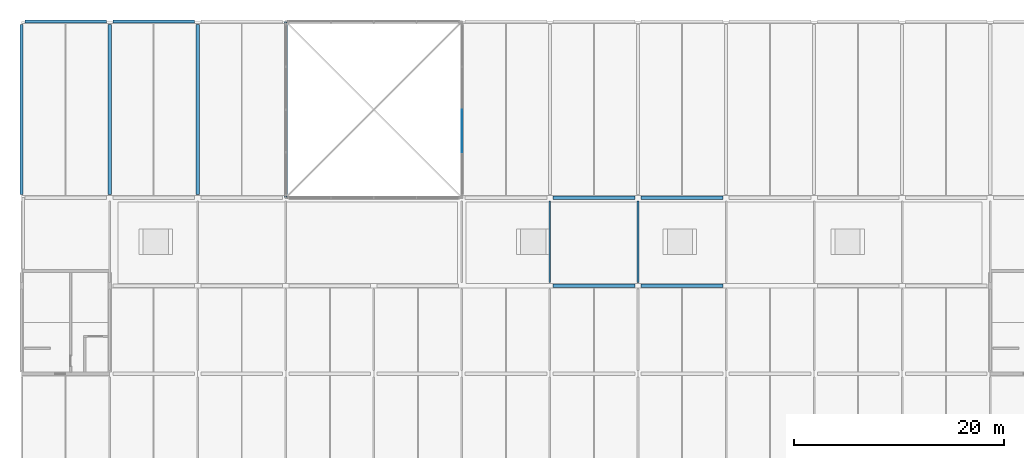
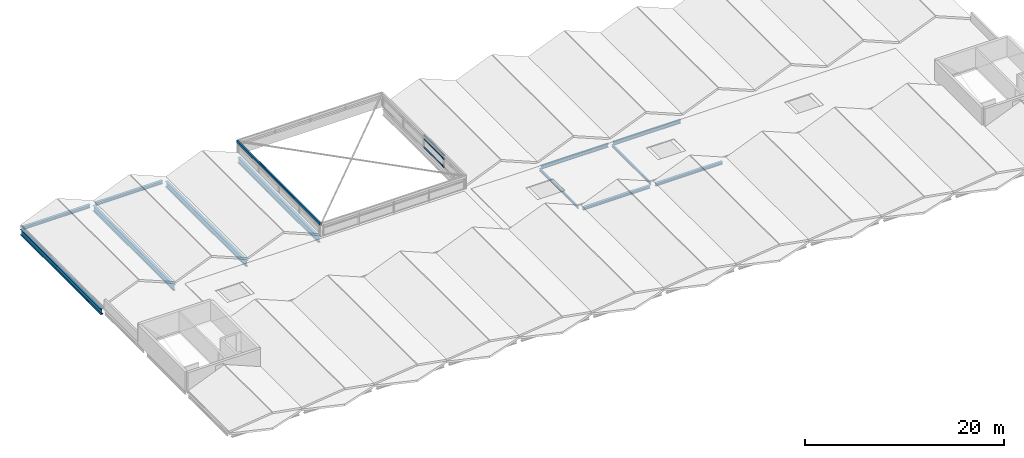
# One storey, part 5 of 14: 13 beams, 3 members, 1 element without a shape of its own.
"""IFC4 building model written with IfcOpenShell, lengths in metres."""

from ifc_helpers import new_model, si_unit, direction, frame, origin, origin_2d, place, context, subcontext, project, spatial, rectangle, hollow_rectangle, i_section, extrude, material, layer, layer_set, material_profile, profile_set, type_object, element, aggregate, save


model = new_model("IFC4")

# Units and contexts
model_context = context("Model", 3, precision=1e-05, world=origin(), true_north=direction((0.0, 1.0)))
body_context = subcontext(model_context, "Body", "Model", "MODEL_VIEW")
ifc_project = project(units=[si_unit("LENGTHUNIT", "METRE"), si_unit("AREAUNIT", "SQUARE_METRE"), si_unit("VOLUMEUNIT", "CUBIC_METRE"), si_unit("PLANEANGLEUNIT", "RADIAN"), si_unit("MASSUNIT", "GRAM", prefix="KILO")], contexts=[model_context])

# Site, building, storey
site_placement = place(None, origin())
site = spatial("IfcSite", under=ifc_project, at=site_placement, CompositionType="ELEMENT")
building_placement = place(site_placement, origin())
building = spatial("IfcBuilding", under=site, at=building_placement, Name="Qawsi Khor Wholesale Market", CompositionType="ELEMENT")
storey_placement = place(building_placement, frame((0.0, 0.0, 20.699951171875)))
storey = spatial("IfcBuildingStorey", under=building, at=storey_placement, Name="RF", CompositionType="ELEMENT", Elevation=20.699951171875)

# Curtain wall, members
ifc_material_1 = material(Name="Aluminium Anodised Bronze", Category="aluminium")
ifc_layer = layer(ifc_material_1, 0.179931640625, Name="Aluminium Anodised Bronze")
ifc_layer_set = layer_set([ifc_layer], Name="Aluminium Anodised Bronze")
curtain_wall_type = type_object("IfcCurtainWallType", Name="Atrium Full-Height Curtain Wall CW-02", PredefinedType="NOTDEFINED", material=ifc_layer_set)
curtain_wall_placement = place(storey_placement, origin())
curtain_wall = element("IfcCurtainWall", 1, at=curtain_wall_placement, inside=storey, type_object=curtain_wall_type, Name="Curtain wall CW-CW-02-RF-049", PredefinedType="NOTDEFINED")
ifc_material_profile_1 = material_profile(ifc_material_1, rectangle(XDim=0.06494140625, YDim=0.139892578125, at=origin_2d()), Name="ALU TRANSOM 65x140")
ifc_profile_set_1 = profile_set([ifc_material_profile_1], Name="Aluminium Anodised Bronze")
member_type = type_object("IfcMemberType", Name="Curtain Wall Transom CW-02 ALU TRANSOM 65x140", PredefinedType="USERDEFINED", material=ifc_profile_set_1)
member_1_placement = place(storey_placement, frame((67.199951171875, 29.52490234375, 0.0), z_axis=(0.0, 1.0, 0.0), x_axis=(-1.0, 0.0, 0.0)))
member_1 = element("IfcMember", 2, at=member_1_placement, type_object=member_type, Name="Transom CW-CW-02-RF-049-T0_01", ObjectType="TRANSOM", PredefinedType="USERDEFINED", context=body_context, shape_type="SweptSolid", body=[
    extrude(rectangle(XDim=0.06494140625, YDim=0.139892578125, at=origin_2d()), origin(), (0.0, 0.0, 1.0), 4.0751953125),
])
member_2_placement = place(storey_placement, frame((67.199951171875, 29.52490234375, 1.0), z_axis=(0.0, 1.0, 0.0), x_axis=(-1.0, 0.0, 0.0)))
member_2 = element("IfcMember", 3, at=member_2_placement, type_object=member_type, Name="Transom CW-CW-02-RF-049-T1_01", ObjectType="TRANSOM", PredefinedType="USERDEFINED", context=body_context, shape_type="SweptSolid", body=[
    extrude(rectangle(XDim=0.06494140625, YDim=0.139892578125, at=origin_2d()), origin(), (0.0, 0.0, 1.0), 4.0751953125),
])
member_3_placement = place(storey_placement, frame((67.199951171875, 29.52490234375, 1.449951171875), z_axis=(0.0, 1.0, 0.0), x_axis=(-1.0, 0.0, 0.0)))
member_3 = element("IfcMember", 4, at=member_3_placement, type_object=member_type, Name="Transom CW-CW-02-RF-049-T2_01", ObjectType="TRANSOM", PredefinedType="USERDEFINED", context=body_context, shape_type="SweptSolid", body=[
    extrude(rectangle(XDim=0.06494140625, YDim=0.139892578125, at=origin_2d()), origin(), (0.0, 0.0, 1.0), 4.0751953125),
])
aggregate(curtain_wall, [member_1, member_2, member_3])

# Beams
ifc_material_2 = material(Name="Steel S355", Category="steel")
ifc_material_profile_2 = material_profile(ifc_material_2, i_section(OverallWidth=0.300048828125, OverallDepth=0.360107421875, WebThickness=0.012451171875, FlangeThickness=0.0224609375, FilletRadius=0.027099609375, at=origin_2d()), Name="HEB 360")
ifc_profile_set_2 = profile_set([ifc_material_profile_2], Name="Steel S355")
beam_type_1 = type_object("IfcBeamType", Name="Heavy Edge Girder HEB 360", PredefinedType="BEAM", material=ifc_profile_set_2)
for number, where, z_axis, x_axis, name in (
    (5, (25.5, 42.0, -0.419921875), (1.0, 0.0, 0.0), (0.0, 1.0, 0.0), "BM-X-RF-03_+05"),
    (6, (33.89990234375, 42.0, -0.419921875), (1.0, 0.0, 0.0), (0.0, 1.0, 0.0), "BM-X-RF-04_+05"),
):
    element("IfcBeam", number, at=place(storey_placement, frame(where, z_axis=z_axis, x_axis=x_axis)), inside=storey, type_object=beam_type_1, Name=name, PredefinedType="BEAM", context=body_context, shape_type="SweptSolid", body=[
        extrude(i_section(OverallWidth=0.300048828125, OverallDepth=0.360107421875, WebThickness=0.012451171875, FlangeThickness=0.0224609375, FilletRadius=0.027099609375, at=origin_2d()), origin(), (0.0, 0.0, 1.0), 7.800048828125),
    ])
ifc_material_profile_3 = material_profile(ifc_material_2, hollow_rectangle(XDim=0.199951171875, YDim=0.300048828125, WallThickness=0.012451171875, InnerFilletRadius=0.012451171875, OuterFilletRadius=0.02490234375, at=origin_2d()), Name="RHS 300x200x12.5")
ifc_profile_set_3 = profile_set([ifc_material_profile_3], Name="Steel S355")
beam_type_2 = type_object("IfcBeamType", Name="Lantern Rim Beam RHS 300x200x12.5", PredefinedType="BEAM", material=ifc_profile_set_3)
beam_placement = place(storey_placement, frame((50.39990234375, 42.0, 1.5), z_axis=(0.0, -1.0, 0.0), x_axis=(1.0, 0.0, 0.0)))
element("IfcBeam", 7, at=beam_placement, inside=storey, type_object=beam_type_2, Name="Atrium lantern rim beam WAT-4", PredefinedType="BEAM", context=body_context, shape_type="SweptSolid", body=[
    extrude(hollow_rectangle(XDim=0.199951171875, YDim=0.300048828125, WallThickness=0.012451171875, InnerFilletRadius=0.012451171875, OuterFilletRadius=0.02490234375, at=origin_2d()), origin(), (0.0, 0.0, 1.0), 16.800048828125),
])
ifc_material_profile_4 = material_profile(ifc_material_2, i_section(OverallWidth=0.300048828125, OverallDepth=0.330078125, WebThickness=0.009521484375, FlangeThickness=0.0166015625, FilletRadius=0.027099609375, at=origin_2d()), Name="HEA 340")
ifc_profile_set_4 = profile_set([ifc_material_profile_4], Name="Steel S355")
beam_type_3 = type_object("IfcBeamType", Name="Primary Girder HEA 340", PredefinedType="BEAM", material=ifc_profile_set_4)
for number, where, z_axis, x_axis, name in (
    (8, (75.89990234375, 16.800048828125, -0.405029296875), (1.0, 0.0, 0.0), (0.0, 1.0, 0.0), "BM-X-RF-09_+02"),
    (9, (84.300048828125, 16.800048828125, -0.405029296875), (1.0, 0.0, 0.0), (0.0, 1.0, 0.0), "BM-X-RF-10_+02"),
):
    element("IfcBeam", number, at=place(storey_placement, frame(where, z_axis=z_axis, x_axis=x_axis)), inside=storey, type_object=beam_type_3, Name=name, PredefinedType="BEAM", context=body_context, shape_type="SweptSolid", body=[
        extrude(i_section(OverallWidth=0.300048828125, OverallDepth=0.330078125, WebThickness=0.009521484375, FlangeThickness=0.0166015625, FilletRadius=0.027099609375, at=origin_2d()), origin(), (0.0, 0.0, 1.0), 7.800048828125),
    ])
ifc_material_profile_5 = material_profile(ifc_material_2, i_section(OverallWidth=0.300048828125, OverallDepth=0.389892578125, WebThickness=0.010986328125, FlangeThickness=0.01904296875, FilletRadius=0.027099609375, at=origin_2d()), Name="HEA 400")
ifc_profile_set_5 = profile_set([ifc_material_profile_5], Name="Steel S355")
beam_type_4 = type_object("IfcBeamType", Name="Primary Girder HEA 400", PredefinedType="BEAM", material=ifc_profile_set_5)
for number, where, z_axis, x_axis, name in (
    (10, (75.89990234375, 25.199951171875, -0.43505859375), (1.0, 0.0, 0.0), (0.0, 1.0, 0.0), "BM-X-RF-09_+03"),
    (11, (84.300048828125, 25.199951171875, -0.43505859375), (1.0, 0.0, 0.0), (0.0, 1.0, 0.0), "BM-X-RF-10_+03"),
):
    element("IfcBeam", number, at=place(storey_placement, frame(where, z_axis=z_axis, x_axis=x_axis)), inside=storey, type_object=beam_type_4, Name=name, PredefinedType="BEAM", context=body_context, shape_type="SweptSolid", body=[
        extrude(i_section(OverallWidth=0.300048828125, OverallDepth=0.389892578125, WebThickness=0.010986328125, FlangeThickness=0.01904296875, FilletRadius=0.027099609375, at=origin_2d()), origin(), (0.0, 0.0, 1.0), 7.800048828125),
    ])
ifc_material_profile_6 = material_profile(ifc_material_2, i_section(OverallWidth=0.300048828125, OverallDepth=0.68994140625, WebThickness=0.014404296875, FlangeThickness=0.027099609375, FilletRadius=0.027099609375, at=origin_2d()), Name="HEA 700")
ifc_profile_set_6 = profile_set([ifc_material_profile_6], Name="Steel S355")
beam_type_5 = type_object("IfcBeamType", Name="Primary Girder HEA 700", PredefinedType="BEAM", material=ifc_profile_set_6)
for number, where, z_axis, x_axis, name in (
    (12, (25.199951171875, 25.5, -0.5849609375), (0.0, 1.0, 0.0), (-1.0, 0.0, 0.0), "BM-YL-RF-03_+03"),
    (13, (33.60009765625, 25.5, -0.5849609375), (0.0, 1.0, 0.0), (-1.0, 0.0, 0.0), "BM-YL-RF-04_+03"),
    (14, (42.0, 25.5, -0.5849609375), (0.0, 1.0, 0.0), (-1.0, 0.0, 0.0), "BM-YL-RF-05_+03"),
    (15, (50.39990234375, 25.5, -0.5849609375), (0.0, 1.0, 0.0), (-1.0, 0.0, 0.0), "BM-YL-RF-06_+03"),
):
    element("IfcBeam", number, at=place(storey_placement, frame(where, z_axis=z_axis, x_axis=x_axis)), inside=storey, type_object=beam_type_5, Name=name, PredefinedType="BEAM", context=body_context, shape_type="SweptSolid", body=[
        extrude(i_section(OverallWidth=0.300048828125, OverallDepth=0.68994140625, WebThickness=0.014404296875, FlangeThickness=0.027099609375, FilletRadius=0.027099609375, at=origin_2d()), origin(), (0.0, 0.0, 1.0), 16.199951171875),
    ])
ifc_material_profile_7 = material_profile(ifc_material_2, i_section(OverallWidth=0.14990234375, OverallDepth=0.300048828125, WebThickness=0.007080078125, FlangeThickness=0.0107421875, FilletRadius=0.014892578125, at=origin_2d()), Name="IPE 300")
ifc_profile_set_7 = profile_set([ifc_material_profile_7], Name="Steel S355")
beam_type_6 = type_object("IfcBeamType", Name="Roof Rafter IPE 300", PredefinedType="BEAM", material=ifc_profile_set_7)
for number, where, z_axis, x_axis, name in (
    (16, (75.60009765625, 17.10009765625, -0.389892578125), (0.0, 1.0, 0.0), (-1.0, 0.0, 0.0), "BM-Y-RF-09_+02"),
    (17, (84.0, 17.10009765625, -0.389892578125), (0.0, 1.0, 0.0), (-1.0, 0.0, 0.0), "BM-Y-RF-10_+02"),
):
    element("IfcBeam", number, at=place(storey_placement, frame(where, z_axis=z_axis, x_axis=x_axis)), inside=storey, type_object=beam_type_6, Name=name, PredefinedType="BEAM", context=body_context, shape_type="SweptSolid", body=[
        extrude(i_section(OverallWidth=0.14990234375, OverallDepth=0.300048828125, WebThickness=0.007080078125, FlangeThickness=0.0107421875, FilletRadius=0.014892578125, at=origin_2d()), origin(), (0.0, 0.0, 1.0), 7.7998046875),
    ])

save(model, "model.ifc")
